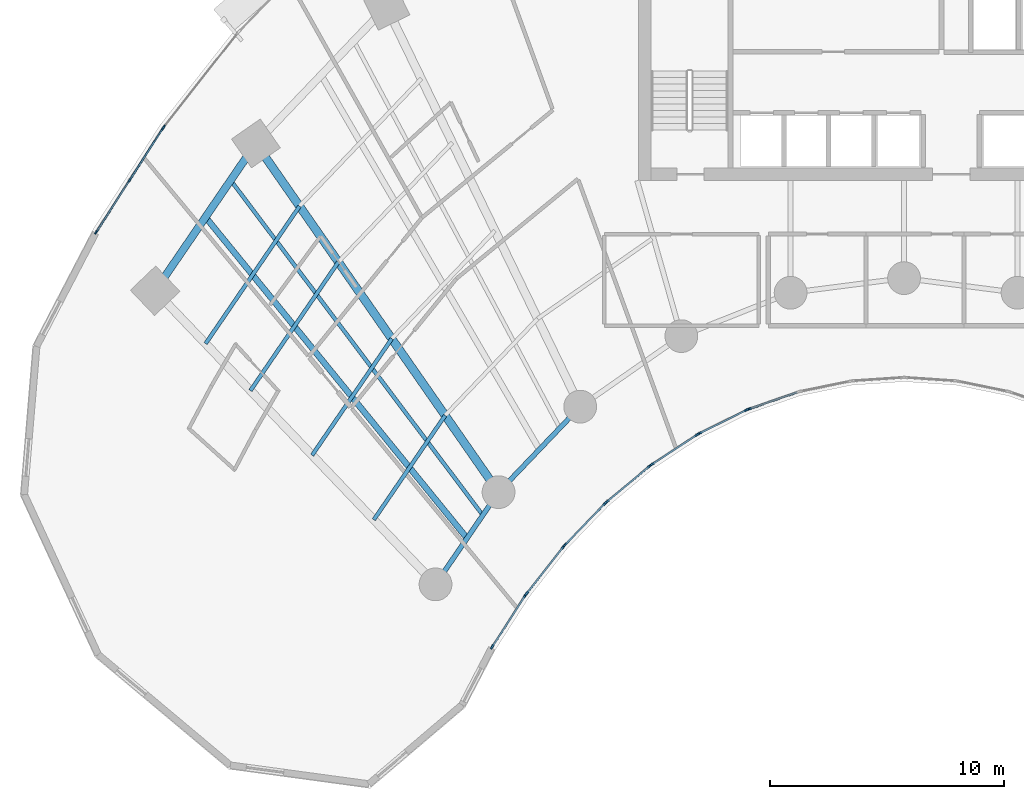
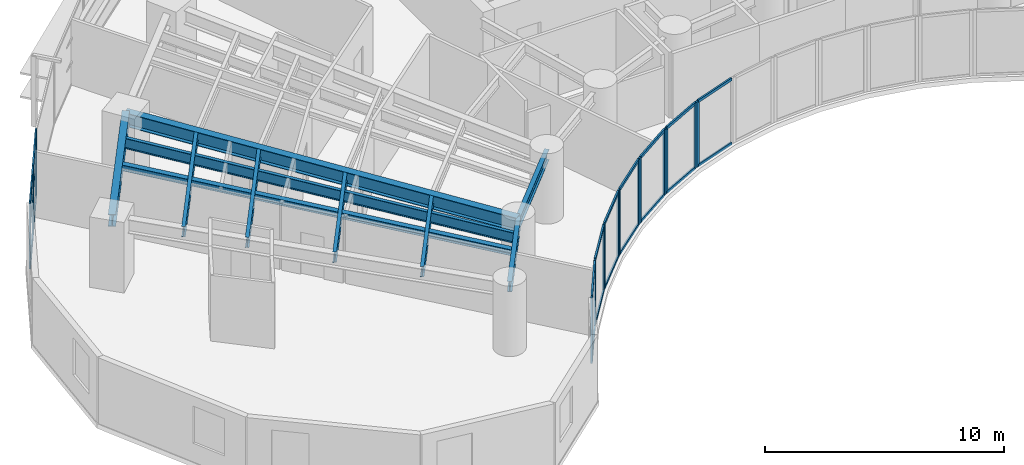
# One storey, part 2 of 17: 37 members, 10 beams, 9 elements without a shape of their own.
"""IFC4 building model written with IfcOpenShell, lengths in metres."""

from ifc_helpers import new_model, si_unit, direction, frame, origin, origin_2d, place, context, subcontext, project, spatial, rectangle, i_section, extrude, source, transform, mapped, material, layer, layer_set, material_profile, profile_set, type_object, type_shapes, element, aggregate, save


model = new_model("IFC4")

# Units and contexts
model_context = context("Model", 3, precision=1e-05, world=origin(), true_north=direction((0.0, 1.0)))
body_context = subcontext(model_context, "Body", "Model", "MODEL_VIEW")
ifc_project = project(units=[si_unit("LENGTHUNIT", "METRE"), si_unit("AREAUNIT", "SQUARE_METRE"), si_unit("VOLUMEUNIT", "CUBIC_METRE"), si_unit("PLANEANGLEUNIT", "RADIAN"), si_unit("MASSUNIT", "GRAM", prefix="KILO")], contexts=[model_context])

# Site, building, storey
site_placement = place(None, origin())
site = spatial("IfcSite", under=ifc_project, at=site_placement, CompositionType="ELEMENT")
building_placement = place(site_placement, origin())
building = spatial("IfcBuilding", under=site, at=building_placement, Name="Breltana Convention Tower", CompositionType="ELEMENT")
storey_placement = place(building_placement, frame((0.0, 0.0, 53.39990234375)))
storey = spatial("IfcBuildingStorey", under=building, at=storey_placement, Name="L11", CompositionType="ELEMENT", Elevation=53.39990234375)

# Beams
ifc_material_1 = material(Name="Steel ASTM A992 Grade 50", Category="steel")
ifc_material_profile_1 = material_profile(ifc_material_1, i_section(OverallWidth=0.323974609375, OverallDepth=0.611083984375, WebThickness=0.0126953125, FlangeThickness=0.01904296875, at=origin_2d()), Name="W24X104")
ifc_profile_set_1 = profile_set([ifc_material_profile_1], Name="Steel ASTM A992 Grade 50")
beam_type_1 = type_object("IfcBeamType", Name="BM-SP-W24X104", PredefinedType="SPANDREL", material=ifc_profile_set_1)
shared_shape_1 = source(origin(), body_context, "Body", "SweptSolid", [
    extrude(i_section(OverallWidth=0.323974609375, OverallDepth=0.611083984375, WebThickness=0.0126953125, FlangeThickness=0.01904296875, at=origin_2d()), origin(), (0.0, 0.0, 1.0), 7.625),
])
type_shapes(beam_type_1, [shared_shape_1])
beam_1_placement = place(storey_placement, frame((16.0068359375, 55.494384765625, 3.0546875), z_axis=(0.564452031902, 0.825465870694, 0.0), x_axis=(-0.825465870694, 0.564452031902, 0.0)))
element("IfcBeam", 1, at=beam_1_placement, inside=storey, type_object=beam_type_1, Name="L11 Outer Spandrel Beam 01", PredefinedType="SPANDREL", context=body_context, shape_type="MappedRepresentation", body=[
    mapped(shared_shape_1, transform((0.0, 0.0, 0.0), scale=1.0)),
])
ifc_material_profile_2 = material_profile(ifc_material_1, i_section(OverallWidth=0.35498046875, OverallDepth=0.696044921875, WebThickness=0.015380859375, FlangeThickness=0.02490234375, at=origin_2d()), Name="W27X146")
ifc_profile_set_2 = profile_set([ifc_material_profile_2], Name="Steel ASTM A992 Grade 50")
beam_type_2 = type_object("IfcBeamType", Name="BM-RG-W27X146", PredefinedType="USERDEFINED", material=ifc_profile_set_2)
shared_shape_2 = source(origin(), body_context, "Body", "SweptSolid", [
    extrude(i_section(OverallWidth=0.35498046875, OverallDepth=0.696044921875, WebThickness=0.015380859375, FlangeThickness=0.02490234375, at=origin_2d()), origin(), (0.0, 0.0, 1.0), 18.1484375),
])
beam_2_placement = place(storey_placement, frame((30.67724609375, 46.892333984375, 3.01220703125), z_axis=(-0.571207556098, 0.820805657788, 0.0), x_axis=(-0.820805657788, -0.571207556098, 0.0)))
element("IfcBeam", 2, at=beam_2_placement, inside=storey, type_object=beam_type_2, Name="L11 Radial Floor Girder R02", ObjectType="GIRDER", PredefinedType="USERDEFINED", context=body_context, shape_type="MappedRepresentation", body=[
    mapped(shared_shape_2, transform((0.0, 0.0, 0.0), scale=1.0)),
])
ifc_material_profile_3 = material_profile(ifc_material_1, i_section(OverallWidth=0.2099609375, OverallDepth=0.537109375, WebThickness=0.010986328125, FlangeThickness=0.017333984375, at=origin_2d()), Name="W21X68")
ifc_profile_set_3 = profile_set([ifc_material_profile_3], Name="Steel ASTM A992 Grade 50")
beam_type_3 = type_object("IfcBeamType", Name="BM-BM-W21X68", PredefinedType="BEAM", material=ifc_profile_set_3)
shared_shape_3 = source(origin(), body_context, "Body", "SweptSolid", [
    extrude(i_section(OverallWidth=0.2099609375, OverallDepth=0.537109375, WebThickness=0.010986328125, FlangeThickness=0.017333984375, at=origin_2d()), origin(), (0.0, 0.0, 1.0), 4.770263671875),
])
beam_3_placement = place(storey_placement, frame((27.984619140625, 42.95458984375, 3.091552734375), z_axis=(0.564452719055, 0.82546540082, 0.0), x_axis=(-0.82546540082, 0.564452719055, 0.0)))
element("IfcBeam", 3, at=beam_3_placement, inside=storey, type_object=beam_type_3, Name="L11 Inner Ring Beam 01", PredefinedType="BEAM", context=body_context, shape_type="MappedRepresentation", body=[
    mapped(shared_shape_3, transform((0.0, 0.0, 0.0), scale=1.0)),
])
shared_shape_4 = source(origin(), body_context, "Body", "SweptSolid", [
    extrude(i_section(OverallWidth=0.2099609375, OverallDepth=0.537109375, WebThickness=0.010986328125, FlangeThickness=0.017333984375, at=origin_2d()), origin(), (0.0, 0.0, 1.0), 5.05126953125),
])
beam_4_placement = place(storey_placement, frame((30.67724609375, 46.892333984375, 3.091552734375), z_axis=(0.690729753845, 0.7231129975, 0.0), x_axis=(-0.7231129975, 0.690729753845, 0.0)))
element("IfcBeam", 4, at=beam_4_placement, inside=storey, type_object=beam_type_3, Name="L11 Inner Ring Beam 02", PredefinedType="BEAM", context=body_context, shape_type="MappedRepresentation", body=[
    mapped(shared_shape_4, transform((0.0, 0.0, 0.0), scale=1.0)),
])
ifc_material_profile_4 = material_profile(ifc_material_1, i_section(OverallWidth=0.166015625, OverallDepth=0.534912109375, WebThickness=0.01025390625, FlangeThickness=0.0166015625, at=origin_2d()), Name="W21X57")
ifc_profile_set_4 = profile_set([ifc_material_profile_4], Name="Steel ASTM A992 Grade 50")
beam_type_4 = type_object("IfcBeamType", Name="BM-JSG-05", PredefinedType="JOIST", material=ifc_profile_set_4)
shared_shape_5 = source(origin(), body_context, "Body", "SweptSolid", [
    extrude(i_section(OverallWidth=0.166015625, OverallDepth=0.534912109375, WebThickness=0.01025390625, FlangeThickness=0.0166015625, at=origin_2d()), origin(), (0.0, 0.0, 1.0), 5.3984375),
])
type_shapes(beam_type_4, [shared_shape_5])
beam_5_placement = place(storey_placement, frame((25.349365234375, 45.71337890625, 3.092529296875), z_axis=(0.564440705434, 0.825473615599, 0.0), x_axis=(-0.825473615599, 0.564440705434, 0.0)))
element("IfcBeam", 5, at=beam_5_placement, inside=storey, type_object=beam_type_4, Name="L11 Composite Floor Joist 01.1", PredefinedType="JOIST", context=body_context, shape_type="MappedRepresentation", body=[
    mapped(shared_shape_5, transform((0.0, 0.0, 0.0), scale=1.0)),
])
shared_shape_6 = source(origin(), body_context, "Body", "SweptSolid", [
    extrude(i_section(OverallWidth=0.166015625, OverallDepth=0.534912109375, WebThickness=0.01025390625, FlangeThickness=0.0166015625, at=origin_2d()), origin(), (0.0, 0.0, 1.0), 6.0263671875),
])
beam_6_placement = place(storey_placement, frame((22.71435546875, 48.47216796875, 3.092529296875), z_axis=(0.564450071397, 0.825467211281, 0.0), x_axis=(-0.825467211281, 0.564450071397, 0.0)))
element("IfcBeam", 6, at=beam_6_placement, inside=storey, type_object=beam_type_4, Name="L11 Composite Floor Joist 01.2", PredefinedType="JOIST", context=body_context, shape_type="MappedRepresentation", body=[
    mapped(shared_shape_6, transform((0.0, 0.0, 0.0), scale=1.0)),
])
shared_shape_7 = source(origin(), body_context, "Body", "SweptSolid", [
    extrude(i_section(OverallWidth=0.166015625, OverallDepth=0.534912109375, WebThickness=0.01025390625, FlangeThickness=0.0166015625, at=origin_2d()), origin(), (0.0, 0.0, 1.0), 6.654541015625),
])
beam_7_placement = place(storey_placement, frame((20.0791015625, 51.23095703125, 3.092529296875), z_axis=(0.564482668195, 0.82544492082, 0.0), x_axis=(-0.82544492082, 0.564482668195, 0.0)))
element("IfcBeam", 7, at=beam_7_placement, inside=storey, type_object=beam_type_4, Name="L11 Composite Floor Joist 01.3", PredefinedType="JOIST", context=body_context, shape_type="MappedRepresentation", body=[
    mapped(shared_shape_7, transform((0.0, 0.0, 0.0), scale=1.0)),
])
shared_shape_8 = source(origin(), body_context, "Body", "SweptSolid", [
    extrude(i_section(OverallWidth=0.166015625, OverallDepth=0.534912109375, WebThickness=0.01025390625, FlangeThickness=0.0166015625, at=origin_2d()), origin(), (0.0, 0.0, 1.0), 7.111328125),
])
beam_8_placement = place(storey_placement, frame((18.162841796875, 53.2373046875, 3.092529296875), z_axis=(0.564446356178, 0.825469751715, 0.0), x_axis=(-0.825469751715, 0.564446356178, 0.0)))
element("IfcBeam", 8, at=beam_8_placement, inside=storey, type_object=beam_type_4, Name="L11 Composite Floor Joist 01.4", PredefinedType="JOIST", context=body_context, shape_type="MappedRepresentation", body=[
    mapped(shared_shape_8, transform((0.0, 0.0, 0.0), scale=1.0)),
])
ifc_material_profile_5 = material_profile(ifc_material_1, i_section(OverallWidth=0.25390625, OverallDepth=0.305908203125, WebThickness=0.0087890625, FlangeThickness=0.0146484375, at=origin_2d()), Name="W12X53")
ifc_profile_set_5 = profile_set([ifc_material_profile_5], Name="Steel ASTM A992 Grade 50")
beam_type_5 = type_object("IfcBeamType", Name="BM-JSG-10", PredefinedType="JOIST", material=ifc_profile_set_5)
shared_shape_9 = source(origin(), body_context, "Body", "SweptSolid", [
    extrude(i_section(OverallWidth=0.25390625, OverallDepth=0.305908203125, WebThickness=0.0087890625, FlangeThickness=0.0146484375, at=origin_2d()), origin(), (0.0, 0.0, 1.0), 17.691650390625),
])
type_shapes(beam_type_5, [shared_shape_9])
beam_9_placement = place(storey_placement, frame((29.330810546875, 44.923583984375, 3.20703125), z_axis=(-0.631476958478, 0.775394642044, 0.0), x_axis=(-0.775394642044, -0.631476958478, 0.0)))
element("IfcBeam", 9, at=beam_9_placement, inside=storey, type_object=beam_type_5, Name="L11 Mid-Bay Radial Trimmer 01", PredefinedType="JOIST", context=body_context, shape_type="MappedRepresentation", body=[
    mapped(shared_shape_9, transform((0.0, 0.0, 0.0), scale=1.0)),
])
shared_shape_10 = source(origin(), body_context, "Body", "SweptSolid", [
    extrude(i_section(OverallWidth=0.166015625, OverallDepth=0.534912109375, WebThickness=0.01025390625, FlangeThickness=0.0166015625, at=origin_2d()), origin(), (0.0, 0.0, 1.0), 17.9072265625),
])
beam_10_placement = place(storey_placement, frame((30.00390625, 45.907958984375, 3.092529296875), z_axis=(-0.601382105028, 0.798961553363, 0.0), x_axis=(-0.798961553363, -0.601382105028, 0.0)))
element("IfcBeam", 10, at=beam_10_placement, inside=storey, type_object=beam_type_4, Name="L11 Quarter-Bay Radial Trimmer 01", PredefinedType="JOIST", context=body_context, shape_type="MappedRepresentation", body=[
    mapped(shared_shape_10, transform((0.0, 0.0, 0.0), scale=1.0)),
])

# Curtain wall, members
ifc_material_2 = material(Name="Aluminium Anodised Bronze Frame", Category="aluminium")
ifc_layer_1 = layer(ifc_material_2, 0.18994140625, Name="Aluminium Anodised Bronze Frame")
ifc_layer_set_1 = layer_set([ifc_layer_1], Name="Aluminium Anodised Bronze Frame")
curtain_wall_type_1 = type_object("IfcCurtainWallType", Name="CW-SYS-1", PredefinedType="NOTDEFINED", material=ifc_layer_set_1)
curtain_wall_1_placement = place(storey_placement, origin())
curtain_wall_1 = element("IfcCurtainWall", 11, at=curtain_wall_1_placement, inside=storey, type_object=curtain_wall_type_1, Name="L11 inner south-court glazing 16", PredefinedType="NOTDEFINED")
ifc_material_3 = material(Name="Aluminium Anodised Bronze", Category="aluminium")
ifc_material_profile_6 = material_profile(ifc_material_3, rectangle(XDim=0.080078125, YDim=0.139892578125, at=origin_2d()), Name="CWT-80X140")
ifc_profile_set_6 = profile_set([ifc_material_profile_6], Name="Aluminium Anodised Bronze")
member_type_1 = type_object("IfcMemberType", Name="CWT-140", PredefinedType="USERDEFINED", material=ifc_profile_set_6)
shared_shape_11 = source(origin(), body_context, "Body", "SweptSolid", [
    extrude(rectangle(XDim=0.080078125, YDim=0.139892578125, at=origin_2d()), origin(), (0.0, 0.0, 1.0), 2.38720703125),
])
type_shapes(member_type_1, [shared_shape_11])
member_1_placement = place(storey_placement, frame((35.2021484375, 46.385009765625, 0.0400390625), z_axis=(-0.694623715393, -0.719373264734, 0.0), x_axis=(0.719373264734, -0.694623715393, 0.0)))
member_1 = element("IfcMember", 12, at=member_1_placement, type_object=member_type_1, Name="CW-01 transom 1.1", ObjectType="TRANSOM", PredefinedType="USERDEFINED", context=body_context, shape_type="MappedRepresentation", body=[
    mapped(shared_shape_11, transform((0.0, 0.0, 0.0), scale=1.0)),
])
member_2_placement = place(storey_placement, frame((35.2021484375, 46.385009765625, 3.320068359375), z_axis=(-0.694623715393, -0.719373264734, 0.0), x_axis=(0.719373264734, -0.694623715393, 0.0)))
member_2 = element("IfcMember", 13, at=member_2_placement, type_object=member_type_1, Name="CW-01 transom 1.2", ObjectType="TRANSOM", PredefinedType="USERDEFINED", context=body_context, shape_type="MappedRepresentation", body=[
    mapped(shared_shape_11, transform((0.0, 0.0, 0.0), scale=1.0)),
])

curtain_wall_2_placement = place(storey_placement, origin())
curtain_wall_2 = element("IfcCurtainWall", 14, at=curtain_wall_2_placement, inside=storey, type_object=curtain_wall_type_1, Name="L11 inner south-court glazing 15", PredefinedType="NOTDEFINED")
shared_shape_12 = source(origin(), body_context, "Body", "SweptSolid", [
    extrude(rectangle(XDim=0.080078125, YDim=0.139892578125, at=origin_2d()), origin(), (0.0, 0.0, 1.0), 2.312255859375),
])
member_3_placement = place(storey_placement, frame((37.10888671875, 47.988037109375, 0.0400390625), z_axis=(-0.767900974507, -0.640568570374, 0.0), x_axis=(0.640568570374, -0.767900974507, 0.0)))
member_3 = element("IfcMember", 15, at=member_3_placement, type_object=member_type_1, Name="CW-01 transom 1.1", ObjectType="TRANSOM", PredefinedType="USERDEFINED", context=body_context, shape_type="MappedRepresentation", body=[
    mapped(shared_shape_12, transform((0.0, 0.0, 0.0), scale=1.0)),
])
member_4_placement = place(storey_placement, frame((37.10888671875, 47.988037109375, 3.320068359375), z_axis=(-0.767900974507, -0.640568570374, 0.0), x_axis=(0.640568570374, -0.767900974507, 0.0)))
member_4 = element("IfcMember", 16, at=member_4_placement, type_object=member_type_1, Name="CW-01 transom 1.2", ObjectType="TRANSOM", PredefinedType="USERDEFINED", context=body_context, shape_type="MappedRepresentation", body=[
    mapped(shared_shape_12, transform((0.0, 0.0, 0.0), scale=1.0)),
])

curtain_wall_3_placement = place(storey_placement, origin())
curtain_wall_3 = element("IfcCurtainWall", 17, at=curtain_wall_3_placement, inside=storey, type_object=curtain_wall_type_1, Name="L11 inner south-court glazing 14", PredefinedType="NOTDEFINED")
shared_shape_13 = source(origin(), body_context, "Body", "SweptSolid", [
    extrude(rectangle(XDim=0.080078125, YDim=0.139892578125, at=origin_2d()), origin(), (0.0, 0.0, 1.0), 2.2421875),
])
member_5_placement = place(storey_placement, frame((39.128173828125, 49.325927734375, 0.0400390625), z_axis=(-0.835982353773, -0.548756324957, 0.0), x_axis=(0.548756324957, -0.835982353773, 0.0)))
member_5 = element("IfcMember", 18, at=member_5_placement, type_object=member_type_1, Name="CW-01 transom 1.1", ObjectType="TRANSOM", PredefinedType="USERDEFINED", context=body_context, shape_type="MappedRepresentation", body=[
    mapped(shared_shape_13, transform((0.0, 0.0, 0.0), scale=1.0)),
])
member_6_placement = place(storey_placement, frame((39.128173828125, 49.325927734375, 3.320068359375), z_axis=(-0.835982353773, -0.548756324957, 0.0), x_axis=(0.548756324957, -0.835982353773, 0.0)))
member_6 = element("IfcMember", 19, at=member_6_placement, type_object=member_type_1, Name="CW-01 transom 1.2", ObjectType="TRANSOM", PredefinedType="USERDEFINED", context=body_context, shape_type="MappedRepresentation", body=[
    mapped(shared_shape_13, transform((0.0, 0.0, 0.0), scale=1.0)),
])

curtain_wall_4_placement = place(storey_placement, origin())
curtain_wall_4 = element("IfcCurtainWall", 20, at=curtain_wall_4_placement, inside=storey, type_object=curtain_wall_type_1, Name="L11 inner south-court glazing 13", PredefinedType="NOTDEFINED")
shared_shape_14 = source(origin(), body_context, "Body", "SweptSolid", [
    extrude(rectangle(XDim=0.080078125, YDim=0.139892578125, at=origin_2d()), origin(), (0.0, 0.0, 1.0), 2.180908203125),
])
member_7_placement = place(storey_placement, frame((41.239501953125, 50.384765625, 0.0400390625), z_axis=(-0.895922266369, -0.444210865045, 0.0), x_axis=(0.444210865045, -0.895922266369, 0.0)))
member_7 = element("IfcMember", 21, at=member_7_placement, type_object=member_type_1, Name="CW-01 transom 1.1", ObjectType="TRANSOM", PredefinedType="USERDEFINED", context=body_context, shape_type="MappedRepresentation", body=[
    mapped(shared_shape_14, transform((0.0, 0.0, 0.0), scale=1.0)),
])
member_8_placement = place(storey_placement, frame((41.239501953125, 50.384765625, 3.320068359375), z_axis=(-0.895922266369, -0.444210865045, 0.0), x_axis=(0.444210865045, -0.895922266369, 0.0)))
member_8 = element("IfcMember", 22, at=member_8_placement, type_object=member_type_1, Name="CW-01 transom 1.2", ObjectType="TRANSOM", PredefinedType="USERDEFINED", context=body_context, shape_type="MappedRepresentation", body=[
    mapped(shared_shape_14, transform((0.0, 0.0, 0.0), scale=1.0)),
])

curtain_wall_5_placement = place(storey_placement, origin())
curtain_wall_5 = element("IfcCurtainWall", 23, at=curtain_wall_5_placement, inside=storey, type_object=curtain_wall_type_1, Name="L11 inner south-court glazing 17", PredefinedType="NOTDEFINED")
shared_shape_15 = source(origin(), body_context, "Body", "SweptSolid", [
    extrude(rectangle(XDim=0.080078125, YDim=0.139892578125, at=origin_2d()), origin(), (0.0, 0.0, 1.0), 2.4638671875),
])
member_9_placement = place(storey_placement, frame((33.427001953125, 44.533447265625, 0.0400390625), z_axis=(-0.618184689608, -0.786032880695, 0.0), x_axis=(0.786032880695, -0.618184689608, 0.0)))
member_9 = element("IfcMember", 24, at=member_9_placement, type_object=member_type_1, Name="CW-01 transom 1.1", ObjectType="TRANSOM", PredefinedType="USERDEFINED", context=body_context, shape_type="MappedRepresentation", body=[
    mapped(shared_shape_15, transform((0.0, 0.0, 0.0), scale=1.0)),
])
member_10_placement = place(storey_placement, frame((33.427001953125, 44.533447265625, 3.320068359375), z_axis=(-0.618184689608, -0.786032880695, 0.0), x_axis=(0.786032880695, -0.618184689608, 0.0)))
member_10 = element("IfcMember", 25, at=member_10_placement, type_object=member_type_1, Name="CW-01 transom 1.2", ObjectType="TRANSOM", PredefinedType="USERDEFINED", context=body_context, shape_type="MappedRepresentation", body=[
    mapped(shared_shape_15, transform((0.0, 0.0, 0.0), scale=1.0)),
])

curtain_wall_6_placement = place(storey_placement, origin())
curtain_wall_6 = element("IfcCurtainWall", 26, at=curtain_wall_6_placement, inside=storey, type_object=curtain_wall_type_1, Name="L11 inner south-court glazing 18", PredefinedType="NOTDEFINED")
shared_shape_16 = source(origin(), body_context, "Body", "SweptSolid", [
    extrude(rectangle(XDim=0.080078125, YDim=0.139892578125, at=origin_2d()), origin(), (0.0, 0.0, 1.0), 2.53955078125),
])
member_11_placement = place(storey_placement, frame((31.801025390625, 42.452392578125, 0.0400390625), z_axis=(-0.540174413174, -0.841553090038, 0.0), x_axis=(0.841553090038, -0.540174413174, 0.0)))
member_11 = element("IfcMember", 27, at=member_11_placement, type_object=member_type_1, Name="CW-01 transom 1.1", ObjectType="TRANSOM", PredefinedType="USERDEFINED", context=body_context, shape_type="MappedRepresentation", body=[
    mapped(shared_shape_16, transform((0.0, 0.0, 0.0), scale=1.0)),
])
member_12_placement = place(storey_placement, frame((31.801025390625, 42.452392578125, 3.320068359375), z_axis=(-0.540174413174, -0.841553090038, 0.0), x_axis=(0.841553090038, -0.540174413174, 0.0)))
member_12 = element("IfcMember", 28, at=member_12_placement, type_object=member_type_1, Name="CW-01 transom 1.2", ObjectType="TRANSOM", PredefinedType="USERDEFINED", context=body_context, shape_type="MappedRepresentation", body=[
    mapped(shared_shape_16, transform((0.0, 0.0, 0.0), scale=1.0)),
])

# Curtain wall, member
curtain_wall_7_placement = place(storey_placement, origin())
curtain_wall_7 = element("IfcCurtainWall", 29, at=curtain_wall_7_placement, inside=storey, type_object=curtain_wall_type_1, Name="L11 inner south-court glazing 12", PredefinedType="NOTDEFINED")
ifc_material_profile_7 = material_profile(ifc_material_3, rectangle(XDim=0.080078125, YDim=0.199951171875, at=origin_2d()), Name="CWM-80X200")
ifc_profile_set_7 = profile_set([ifc_material_profile_7], Name="Aluminium Anodised Bronze")
member_type_2 = type_object("IfcMemberType", Name="CWM-200", PredefinedType="MULLION", material=ifc_profile_set_7)
shared_shape_17 = source(origin(), body_context, "Body", "SweptSolid", [
    extrude(rectangle(XDim=0.080078125, YDim=0.199951171875, at=origin_2d()), origin(), (0.0, 0.0, 1.0), 3.360107421875),
])
member_13_placement = place(storey_placement, frame((41.3701171875, 50.442138671875, 0.0), z_axis=(0.0, 0.0, 1.0), x_axis=(0.327413341714, -0.944881211406, 0.0)))
member_13 = element("IfcMember", 30, at=member_13_placement, type_object=member_type_2, Name="CW-01 mullion 2", PredefinedType="MULLION", context=body_context, shape_type="MappedRepresentation", body=[
    mapped(shared_shape_17, transform((0.0, 0.0, 0.0), scale=1.0)),
])

# Member
member_14_placement = place(storey_placement, frame((41.275390625, 50.40234375, 0.0), z_axis=(0.0, 0.0, 1.0), x_axis=(0.444117987602, -0.895968310315, 0.0)))
member_14 = element("IfcMember", 31, at=member_14_placement, type_object=member_type_2, Name="CW-01 mullion 1", PredefinedType="MULLION", context=body_context, shape_type="MappedRepresentation", body=[
    mapped(shared_shape_17, transform((0.0, 0.0, 0.0), scale=1.0)),
])

member_15_placement = place(storey_placement, frame((39.249755859375, 49.3984375, 0.0), z_axis=(0.0, 0.0, 1.0), x_axis=(0.444117987602, -0.895968310315, 0.0)))
member_15 = element("IfcMember", 32, at=member_15_placement, type_object=member_type_2, Name="CW-01 mullion 2", PredefinedType="MULLION", context=body_context, shape_type="MappedRepresentation", body=[
    mapped(shared_shape_17, transform((0.0, 0.0, 0.0), scale=1.0)),
])

aggregate(curtain_wall_4, [member_14, member_15, member_7, member_8])

member_16_placement = place(storey_placement, frame((39.16162109375, 49.347900390625, 0.0), z_axis=(0.0, 0.0, 1.0), x_axis=(0.548778278441, -0.835967942634, 0.0)))
member_16 = element("IfcMember", 33, at=member_16_placement, type_object=member_type_2, Name="CW-01 mullion 1", PredefinedType="MULLION", context=body_context, shape_type="MappedRepresentation", body=[
    mapped(shared_shape_17, transform((0.0, 0.0, 0.0), scale=1.0)),
])

member_17_placement = place(storey_placement, frame((37.220458984375, 48.073486328125, 0.0), z_axis=(0.0, 0.0, 1.0), x_axis=(0.548778278441, -0.835967942634, 0.0)))
member_17 = element("IfcMember", 34, at=member_17_placement, type_object=member_type_2, Name="CW-01 mullion 2", PredefinedType="MULLION", context=body_context, shape_type="MappedRepresentation", body=[
    mapped(shared_shape_17, transform((0.0, 0.0, 0.0), scale=1.0)),
])

aggregate(curtain_wall_3, [member_16, member_17, member_5, member_6])

member_18_placement = place(storey_placement, frame((37.1396484375, 48.013671875, 0.0), z_axis=(0.0, 0.0, 1.0), x_axis=(0.640522524458, -0.767939382804, 0.0)))
member_18 = element("IfcMember", 35, at=member_18_placement, type_object=member_type_2, Name="CW-01 mullion 1", PredefinedType="MULLION", context=body_context, shape_type="MappedRepresentation", body=[
    mapped(shared_shape_17, transform((0.0, 0.0, 0.0), scale=1.0)),
])

member_19_placement = place(storey_placement, frame((35.302734375, 46.481201171875, 0.0), z_axis=(0.0, 0.0, 1.0), x_axis=(0.640522524458, -0.767939382804, 0.0)))
member_19 = element("IfcMember", 36, at=member_19_placement, type_object=member_type_2, Name="CW-01 mullion 2", PredefinedType="MULLION", context=body_context, shape_type="MappedRepresentation", body=[
    mapped(shared_shape_17, transform((0.0, 0.0, 0.0), scale=1.0)),
])

aggregate(curtain_wall_2, [member_18, member_19, member_3, member_4])

member_20_placement = place(storey_placement, frame((35.22998046875, 46.413818359375, 0.0), z_axis=(0.0, 0.0, 1.0), x_axis=(0.719384548773, -0.694612029111, 0.0)))
member_20 = element("IfcMember", 37, at=member_20_placement, type_object=member_type_2, Name="CW-01 mullion 1", PredefinedType="MULLION", context=body_context, shape_type="MappedRepresentation", body=[
    mapped(shared_shape_17, transform((0.0, 0.0, 0.0), scale=1.0)),
])

member_21_placement = place(storey_placement, frame((33.51611328125, 44.638916015625, 0.0), z_axis=(0.0, 0.0, 1.0), x_axis=(0.719384548773, -0.694612029111, 0.0)))
member_21 = element("IfcMember", 38, at=member_21_placement, type_object=member_type_2, Name="CW-01 mullion 2", PredefinedType="MULLION", context=body_context, shape_type="MappedRepresentation", body=[
    mapped(shared_shape_17, transform((0.0, 0.0, 0.0), scale=1.0)),
])

aggregate(curtain_wall_1, [member_20, member_21, member_1, member_2])

member_22_placement = place(storey_placement, frame((33.45166015625, 44.56494140625, 0.0), z_axis=(0.0, 0.0, 1.0), x_axis=(0.786057762734, -0.61815305034, 0.0)))
member_22 = element("IfcMember", 39, at=member_22_placement, type_object=member_type_2, Name="CW-01 mullion 1", PredefinedType="MULLION", context=body_context, shape_type="MappedRepresentation", body=[
    mapped(shared_shape_17, transform((0.0, 0.0, 0.0), scale=1.0)),
])

member_23_placement = place(storey_placement, frame((31.87890625, 42.565185546875, 0.0), z_axis=(0.0, 0.0, 1.0), x_axis=(0.786057762734, -0.61815305034, 0.0)))
member_23 = element("IfcMember", 40, at=member_23_placement, type_object=member_type_2, Name="CW-01 mullion 2", PredefinedType="MULLION", context=body_context, shape_type="MappedRepresentation", body=[
    mapped(shared_shape_17, transform((0.0, 0.0, 0.0), scale=1.0)),
])

aggregate(curtain_wall_5, [member_22, member_23, member_9, member_10])

member_24_placement = place(storey_placement, frame((31.82275390625, 42.48583984375, 0.0), z_axis=(0.0, 0.0, 1.0), x_axis=(0.841556194767, -0.540169576197, 0.0)))
member_24 = element("IfcMember", 41, at=member_24_placement, type_object=member_type_2, Name="CW-01 mullion 1", PredefinedType="MULLION", context=body_context, shape_type="MappedRepresentation", body=[
    mapped(shared_shape_17, transform((0.0, 0.0, 0.0), scale=1.0)),
])

member_25_placement = place(storey_placement, frame((30.40771484375, 40.281494140625, 0.0), z_axis=(0.0, 0.0, 1.0), x_axis=(0.841556194767, -0.540169576197, 0.0)))
member_25 = element("IfcMember", 42, at=member_25_placement, type_object=member_type_2, Name="CW-01 mullion 2", PredefinedType="MULLION", context=body_context, shape_type="MappedRepresentation", body=[
    mapped(shared_shape_17, transform((0.0, 0.0, 0.0), scale=1.0)),
])

aggregate(curtain_wall_6, [member_24, member_25, member_11, member_12])

shared_shape_18 = source(origin(), body_context, "Body", "SweptSolid", [
    extrude(rectangle(XDim=0.080078125, YDim=0.139892578125, at=origin_2d()), origin(), (0.0, 0.0, 1.0), 2.131103515625),
])
member_26_placement = place(storey_placement, frame((43.421630859375, 51.153076171875, 0.0400390625), z_axis=(-0.944847069856, -0.327511854112, 0.0), x_axis=(0.327511854112, -0.944847069856, 0.0)))
member_26 = element("IfcMember", 43, at=member_26_placement, type_object=member_type_1, Name="CW-01 transom 1.1", ObjectType="TRANSOM", PredefinedType="USERDEFINED", context=body_context, shape_type="MappedRepresentation", body=[
    mapped(shared_shape_18, transform((0.0, 0.0, 0.0), scale=1.0)),
])

member_27_placement = place(storey_placement, frame((43.421630859375, 51.153076171875, 3.320068359375), z_axis=(-0.944847069856, -0.327511854112, 0.0), x_axis=(0.327511854112, -0.944847069856, 0.0)))
member_27 = element("IfcMember", 44, at=member_27_placement, type_object=member_type_1, Name="CW-01 transom 1.2", ObjectType="TRANSOM", PredefinedType="USERDEFINED", context=body_context, shape_type="MappedRepresentation", body=[
    mapped(shared_shape_18, transform((0.0, 0.0, 0.0), scale=1.0)),
])

aggregate(curtain_wall_7, [member_13, member_26, member_27])

# Curtain wall, members
ifc_layer_2 = layer(ifc_material_2, 0.199951171875, Name="Aluminium Anodised Bronze Frame")
ifc_layer_set_2 = layer_set([ifc_layer_2], Name="Aluminium Anodised Bronze Frame")
curtain_wall_type_2 = type_object("IfcCurtainWallType", Name="CW-SYS-2", PredefinedType="NOTDEFINED", material=ifc_layer_set_2)
curtain_wall_8_placement = place(storey_placement, origin())
curtain_wall_8 = element("IfcCurtainWall", 45, at=curtain_wall_8_placement, inside=storey, type_object=curtain_wall_type_2, Name="L11 outer double-skin inner glazing 1", PredefinedType="NOTDEFINED")
ifc_material_profile_8 = material_profile(ifc_material_3, rectangle(XDim=0.070068359375, YDim=0.175048828125, at=origin_2d()), Name="CWM-70X175")
ifc_profile_set_8 = profile_set([ifc_material_profile_8], Name="Aluminium Anodised Bronze")
member_type_3 = type_object("IfcMemberType", Name="CWM-175", PredefinedType="MULLION", material=ifc_profile_set_8)
shared_shape_19 = source(origin(), body_context, "Body", "SweptSolid", [
    extrude(rectangle(XDim=0.070068359375, YDim=0.175048828125, at=origin_2d()), origin(), (0.0, 0.0, 1.0), 3.360107421875),
])
type_shapes(member_type_3, [shared_shape_19])
member_28_placement = place(storey_placement, frame((13.487060546875, 57.993896484375, 0.0), z_axis=(0.0, 0.0, 1.0), x_axis=(-0.841549039154, 0.540180724109, 0.0)))
member_28 = element("IfcMember", 46, at=member_28_placement, type_object=member_type_3, Name="CW-02 mullion 1", PredefinedType="MULLION", context=body_context, shape_type="MappedRepresentation", body=[
    mapped(shared_shape_19, transform((0.0, 0.0, 0.0), scale=1.0)),
])
member_29_placement = place(storey_placement, frame((14.911865234375, 60.2138671875, 0.0), z_axis=(0.0, 0.0, 1.0), x_axis=(-0.841549039154, 0.540180724109, 0.0)))
member_29 = element("IfcMember", 47, at=member_29_placement, type_object=member_type_3, Name="CW-02 mullion 2", PredefinedType="MULLION", context=body_context, shape_type="MappedRepresentation", body=[
    mapped(shared_shape_19, transform((0.0, 0.0, 0.0), scale=1.0)),
])
member_30_placement = place(storey_placement, frame((16.3369140625, 62.43359375, 0.0), z_axis=(0.0, 0.0, 1.0), x_axis=(-0.841549039154, 0.540180724109, 0.0)))
member_30 = element("IfcMember", 48, at=member_30_placement, type_object=member_type_3, Name="CW-02 mullion 3", PredefinedType="MULLION", context=body_context, shape_type="MappedRepresentation", body=[
    mapped(shared_shape_19, transform((0.0, 0.0, 0.0), scale=1.0)),
])

# Curtain wall, member
curtain_wall_9_placement = place(storey_placement, origin())
curtain_wall_9 = element("IfcCurtainWall", 49, at=curtain_wall_9_placement, inside=storey, type_object=curtain_wall_type_2, Name="L11 outer double-skin inner glazing 2", PredefinedType="NOTDEFINED")
member_31_placement = place(storey_placement, frame((16.37744140625, 62.49072265625, 0.0), z_axis=(0.0, 0.0, 1.0), x_axis=(-0.786057080698, 0.618153917633, 0.0)))
member_31 = element("IfcMember", 50, at=member_31_placement, type_object=member_type_3, Name="CW-02 mullion 1", PredefinedType="MULLION", context=body_context, shape_type="MappedRepresentation", body=[
    mapped(shared_shape_19, transform((0.0, 0.0, 0.0), scale=1.0)),
])
aggregate(curtain_wall_9, [member_31])

# Member
ifc_material_profile_9 = material_profile(ifc_material_3, rectangle(XDim=0.070068359375, YDim=0.1201171875, at=origin_2d()), Name="CWT-70X120")
ifc_profile_set_9 = profile_set([ifc_material_profile_9], Name="Aluminium Anodised Bronze")
member_type_4 = type_object("IfcMemberType", Name="CWT-120", PredefinedType="USERDEFINED", material=ifc_profile_set_9)
shared_shape_20 = source(origin(), body_context, "Body", "SweptSolid", [
    extrude(rectangle(XDim=0.070068359375, YDim=0.1201171875, at=origin_2d()), origin(), (0.0, 0.0, 1.0), 2.56787109375),
])
type_shapes(member_type_4, [shared_shape_20])
member_32_placement = place(storey_placement, frame((13.505859375, 58.0234375, 0.03515625), z_axis=(0.54022409371, 0.841521199124, 0.0), x_axis=(-0.841521199124, 0.54022409371, 0.0)))
member_32 = element("IfcMember", 51, at=member_32_placement, type_object=member_type_4, Name="CW-02 transom 1.1", ObjectType="TRANSOM", PredefinedType="USERDEFINED", context=body_context, shape_type="MappedRepresentation", body=[
    mapped(shared_shape_20, transform((0.0, 0.0, 0.0), scale=1.0)),
])

member_33_placement = place(storey_placement, frame((13.505859375, 58.0234375, 2.18408203125), z_axis=(0.54022409371, 0.841521199124, 0.0), x_axis=(-0.841521199124, 0.54022409371, 0.0)))
member_33 = element("IfcMember", 52, at=member_33_placement, type_object=member_type_4, Name="CW-02 transom 1.2", ObjectType="TRANSOM", PredefinedType="USERDEFINED", context=body_context, shape_type="MappedRepresentation", body=[
    mapped(shared_shape_20, transform((0.0, 0.0, 0.0), scale=1.0)),
])

member_34_placement = place(storey_placement, frame((13.505859375, 58.0234375, 3.3251953125), z_axis=(0.54022409371, 0.841521199124, 0.0), x_axis=(-0.841521199124, 0.54022409371, 0.0)))
member_34 = element("IfcMember", 53, at=member_34_placement, type_object=member_type_4, Name="CW-02 transom 1.3", ObjectType="TRANSOM", PredefinedType="USERDEFINED", context=body_context, shape_type="MappedRepresentation", body=[
    mapped(shared_shape_20, transform((0.0, 0.0, 0.0), scale=1.0)),
])

member_35_placement = place(storey_placement, frame((14.930908203125, 60.2431640625, 0.03515625), z_axis=(0.540113540427, 0.841592159806, 0.0), x_axis=(-0.841592159806, 0.540113540427, 0.0)))
member_35 = element("IfcMember", 54, at=member_35_placement, type_object=member_type_4, Name="CW-02 transom 2.1", ObjectType="TRANSOM", PredefinedType="USERDEFINED", context=body_context, shape_type="MappedRepresentation", body=[
    mapped(shared_shape_20, transform((0.0, 0.0, 0.0), scale=1.0)),
])

member_36_placement = place(storey_placement, frame((14.930908203125, 60.2431640625, 2.18408203125), z_axis=(0.540113540427, 0.841592159806, 0.0), x_axis=(-0.841592159806, 0.540113540427, 0.0)))
member_36 = element("IfcMember", 55, at=member_36_placement, type_object=member_type_4, Name="CW-02 transom 2.2", ObjectType="TRANSOM", PredefinedType="USERDEFINED", context=body_context, shape_type="MappedRepresentation", body=[
    mapped(shared_shape_20, transform((0.0, 0.0, 0.0), scale=1.0)),
])

member_37_placement = place(storey_placement, frame((14.930908203125, 60.2431640625, 3.3251953125), z_axis=(0.540113540427, 0.841592159806, 0.0), x_axis=(-0.841592159806, 0.540113540427, 0.0)))
member_37 = element("IfcMember", 56, at=member_37_placement, type_object=member_type_4, Name="CW-02 transom 2.3", ObjectType="TRANSOM", PredefinedType="USERDEFINED", context=body_context, shape_type="MappedRepresentation", body=[
    mapped(shared_shape_20, transform((0.0, 0.0, 0.0), scale=1.0)),
])

aggregate(curtain_wall_8, [member_28, member_29, member_30, member_32, member_33, member_34, member_35, member_36, member_37])

save(model, "model.ifc")
